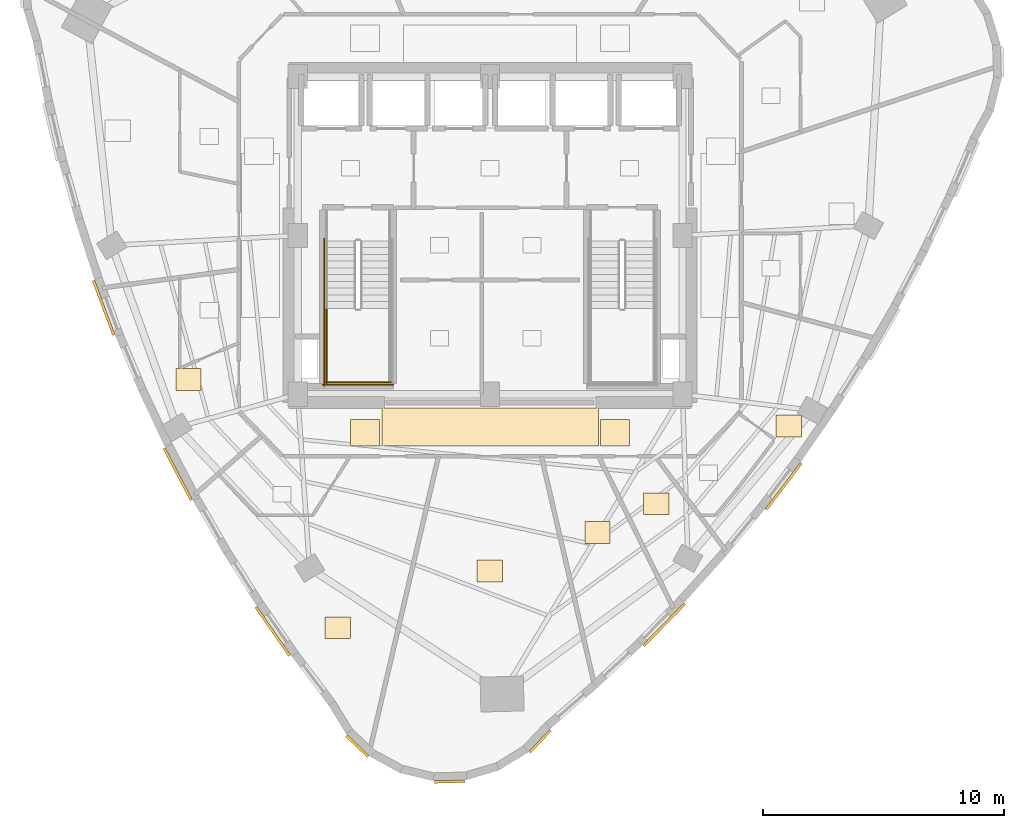
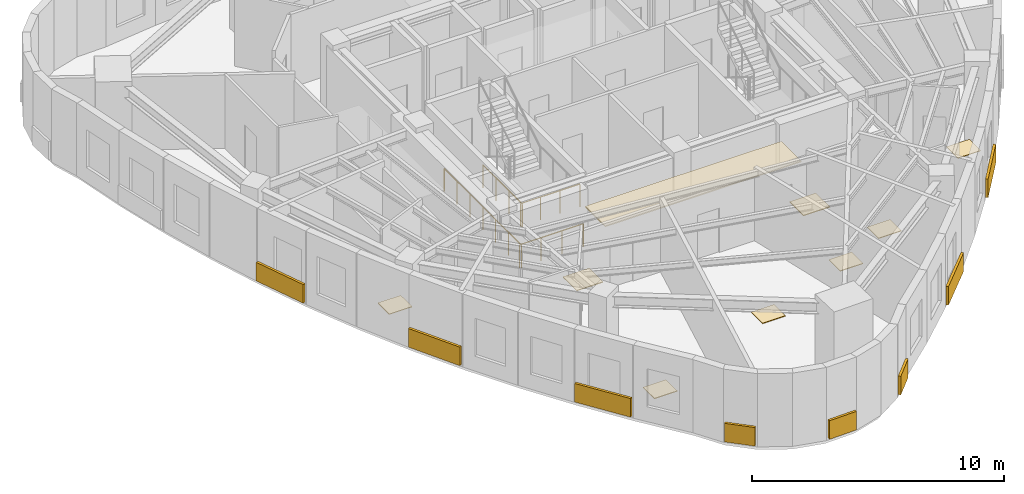
# One storey, part 9 of 11: 17 coverings, 4 railings.
"""IFC4 building model written with IfcOpenShell, lengths in metres."""

from ifc_helpers import new_model, si_unit, direction, frame, origin, origin_2d, place, context, subcontext, project, spatial, rectangle, circle, extrude, material, layer, layer_set, type_object, element, save


model = new_model("IFC4")

# Units and contexts
model_context = context("Model", 3, precision=1e-05, world=origin(), true_north=direction((0.0, 1.0)))
body_context = subcontext(model_context, "Body", "Model", "MODEL_VIEW")
ifc_project = project(units=[si_unit("LENGTHUNIT", "METRE"), si_unit("AREAUNIT", "SQUARE_METRE"), si_unit("VOLUMEUNIT", "CUBIC_METRE"), si_unit("PLANEANGLEUNIT", "RADIAN"), si_unit("MASSUNIT", "GRAM", prefix="KILO")], contexts=[model_context])

# Site, building, storey
site_placement = place(None, origin())
site = spatial("IfcSite", under=ifc_project, at=site_placement, CompositionType="ELEMENT")
building_placement = place(site_placement, origin())
building = spatial("IfcBuilding", under=site, at=building_placement, Name="Ndelora Gate Hotel", CompositionType="ELEMENT")
storey_placement = place(building_placement, frame((0.0, 0.0, 186.550048828125)))
storey = spatial("IfcBuildingStorey", under=building, at=storey_placement, Name="L46", CompositionType="ELEMENT", Elevation=186.550048828125)

# Coverings
ifc_material_1 = material(Name="Perforated Acoustic Gypsum Board", Category="gypsum")
ifc_layer_1 = layer(ifc_material_1, 0.054931640625)
ifc_layer_set_1 = layer_set([ifc_layer_1], Name="Perforated Acoustic Gypsum Board")
covering_type_1 = type_object("IfcCoveringType", Name="COV-CEIL-AC60", PredefinedType="CEILING", material=ifc_layer_set_1)
covering_1_placement = place(storey_placement, frame((0.0, -7.9599609375, 2.65234375), z_axis=(0.0, 0.0, 1.0), x_axis=(1.0, 0.0, 0.0)))
element("IfcCovering", 1, at=covering_1_placement, inside=storey, type_object=covering_type_1, Name="L46 Guest Corridor Acoustic Ceiling S", PredefinedType="CEILING", context=body_context, shape_type="SweptSolid", body=[
    extrude(rectangle(XDim=9.0, YDim=1.580078125, at=origin_2d()), origin(), (0.0, 0.0, 1.0), 0.054931640625),
])
ifc_material_2 = material(Name="Terracotta Fired Clay Brick Slip Cladding", Category="masonry")
ifc_layer_2 = layer(ifc_material_2, 0.110107421875)
ifc_layer_set_2 = layer_set([ifc_layer_2], Name="Terracotta Fired Clay Brick Slip Cladding")
covering_type_2 = type_object("IfcCoveringType", Name="COV-CLAD-BRK", PredefinedType="CLADDING", material=ifc_layer_set_2)
covering_2_placement = place(storey_placement, frame((-16.06591796875, -3.007568359375, 0.10009765625), z_axis=(0.0, 0.0, 1.0), x_axis=(-0.348572047322, 0.937281989492, 0.0)))
element("IfcCovering", 2, at=covering_2_placement, inside=storey, type_object=covering_type_2, Name="L46 Rounded-Corner Brick Cladding Band 13", PredefinedType="CLADDING", context=body_context, shape_type="SweptSolid", body=[
    extrude(rectangle(XDim=2.419921875, YDim=0.110107421875, at=origin_2d()), origin(), (0.0, 0.0, 1.0), 0.89990234375),
])
covering_3_placement = place(storey_placement, frame((-12.9853515625, -9.9267578125, 0.10009765625), z_axis=(0.0, 0.0, 1.0), x_axis=(-0.46329603512, 0.886203579231, 0.0)))
element("IfcCovering", 3, at=covering_3_placement, inside=storey, type_object=covering_type_2, Name="L46 Rounded-Corner Brick Cladding Band 16", PredefinedType="CLADDING", context=body_context, shape_type="SweptSolid", body=[
    extrude(rectangle(XDim=2.4208984375, YDim=0.110107421875, at=origin_2d()), origin(), (0.0, 0.0, 1.0), 0.89990234375),
])
covering_4_placement = place(storey_placement, frame((-9.033935546875, -16.457763671875, 0.10009765625), z_axis=(0.0, 0.0, 1.0), x_axis=(-0.569136023557, 0.822243386529, 0.0)))
element("IfcCovering", 4, at=covering_4_placement, inside=storey, type_object=covering_type_2, Name="L46 Rounded-Corner Brick Cladding Band 19", PredefinedType="CLADDING", context=body_context, shape_type="SweptSolid", body=[
    extrude(rectangle(XDim=2.4599609375, YDim=0.110107421875, at=origin_2d()), origin(), (0.0, 0.0, 1.0), 0.89990234375),
])
for number, where, z_axis, x_axis, name in (
    (5, (-5.52099609375, -21.23095703125, 0.10009765625), (0.0, 0.0, 1.0), (-0.725374371012, 0.688354575694, 0.0), "L46 Rounded-Corner Brick Cladding Band 22"),
    (6, (-1.68115234375, -22.705078125, 0.10009765625), (0.0, 0.0, 1.0), (0.999657324976, 0.026176948308, 0.0), "L46 Rounded-Corner Brick Cladding Band 25"),
    (7, (2.076416015625, -21.031982421875, 0.10009765625), (0.0, 0.0, 1.0), (0.688354575694, 0.725374371012, 0.0), "L46 Rounded-Corner Brick Cladding Band 28"),
):
    element("IfcCovering", number, at=place(storey_placement, frame(where, z_axis=z_axis, x_axis=x_axis)), inside=storey, type_object=covering_type_2, Name=name, PredefinedType="CLADDING", context=body_context, shape_type="SweptSolid", body=[
        extrude(rectangle(XDim=1.257080078125, YDim=0.110107421875, at=origin_2d()), origin(), (0.0, 0.0, 1.0), 0.89990234375),
    ])
covering_5_placement = place(storey_placement, frame((7.2412109375, -16.183349609375, 0.10009765625), z_axis=(0.0, 0.0, 1.0), x_axis=(0.699039579147, 0.715082978952, 0.0)))
element("IfcCovering", 8, at=covering_5_placement, inside=storey, type_object=covering_type_2, Name="L46 Rounded-Corner Brick Cladding Band 31", PredefinedType="CLADDING", context=body_context, shape_type="SweptSolid", body=[
    extrude(rectangle(XDim=2.443115234375, YDim=0.110107421875, at=origin_2d()), origin(), (0.0, 0.0, 1.0), 0.89990234375),
])
covering_6_placement = place(storey_placement, frame((12.207275390625, -10.429443359375, 0.10009765625), z_axis=(0.0, 0.0, 1.0), x_axis=(0.604599114862, 0.796529918024, 0.0)))
element("IfcCovering", 9, at=covering_6_placement, inside=storey, type_object=covering_type_2, Name="L46 Rounded-Corner Brick Cladding Band 34", PredefinedType="CLADDING", context=body_context, shape_type="SweptSolid", body=[
    extrude(rectangle(XDim=2.416015625, YDim=0.110107421875, at=origin_2d()), origin(), (0.0, 0.0, 1.0), 0.89990234375),
])
ifc_material_3 = material(Name="Engineered Highland Oak Parquet", Category="wood")
ifc_layer_3 = layer(ifc_material_3, 0.030029296875)
ifc_layer_set_3 = layer_set([ifc_layer_3], Name="Engineered Highland Oak Parquet")
covering_type_3 = type_object("IfcCoveringType", Name="COV-FLR-PARQ", PredefinedType="FLOORING", material=ifc_layer_set_3)
for number, where, z_axis, x_axis, name in (
    (10, (12.416015625, -7.918701171875, 0.0), (0.0, 0.0, 1.0), (1.0, 0.0, 0.0), "L46 Panoramic Horizon Suite 4901 Oak Parquet Flooring"),
    (11, (-12.540771484375, -5.9853515625, 0.0), (0.0, 0.0, 1.0), (1.0, 0.0, 0.0), "L46 Altitude Deluxe Guest Room 4906 Oak Parquet Flooring"),
    (12, (-6.3369140625, -16.310791015625, 0.0), (0.0, 0.0, 1.0), (1.0, 0.0, 0.0), "L46 Executive Sky Suite 4907 Oak Parquet Flooring"),
    (13, (-0.01025390625, -13.94775390625, 0.0), (0.0, 0.0, 1.0), (1.0, 0.0, 0.0), "L46 Butler Service Kitchen Oak Parquet Flooring"),
    (14, (4.468505859375, -12.349853515625, 0.0), (0.0, 0.0, 1.0), (1.0, 0.0, 0.0), "L46 Housekeeping and Linen Room Oak Parquet Flooring"),
    (15, (6.91162109375, -11.154296875, 0.0), (0.0, 0.0, 1.0), (1.0, 0.0, 0.0), "L46 Accessible WC Oak Parquet Flooring"),
):
    element("IfcCovering", number, at=place(storey_placement, frame(where, z_axis=z_axis, x_axis=x_axis)), inside=storey, type_object=covering_type_3, Name=name, PredefinedType="FLOORING", context=body_context, shape_type="SweptSolid", body=[
        extrude(rectangle(XDim=1.050048828125, YDim=0.89990234375, at=origin_2d()), origin(), (0.0, 0.0, 1.0), 0.030029296875),
    ])
ifc_material_4 = material(Name="Polished Highland Stone Terrazzo", Category="masonry")
ifc_layer_4 = layer(ifc_material_4, 0.034912109375)
ifc_layer_set_4 = layer_set([ifc_layer_4], Name="Polished Highland Stone Terrazzo")
covering_type_4 = type_object("IfcCoveringType", Name="COV-FLR-TERZ", PredefinedType="FLOORING", material=ifc_layer_set_4)
for number, where, z_axis, x_axis, name in (
    (16, (-5.199951171875, -8.199951171875, 0.0), (0.0, 0.0, 1.0), (1.0, 0.0, 0.0), "L46 Corridor Threshold Terrazzo Inlay SW"),
    (17, (5.199951171875, -8.199951171875, 0.0), (0.0, 0.0, 1.0), (1.0, 0.0, 0.0), "L46 Corridor Threshold Terrazzo Inlay SE"),
):
    element("IfcCovering", number, at=place(storey_placement, frame(where, z_axis=z_axis, x_axis=x_axis)), inside=storey, type_object=covering_type_4, Name=name, PredefinedType="FLOORING", context=body_context, shape_type="SweptSolid", body=[
        extrude(rectangle(XDim=1.199951171875, YDim=1.10009765625, at=origin_2d()), origin(), (0.0, 0.0, 1.0), 0.034912109375),
    ])

# Railings
ifc_material_5 = material(Name="Painted Galvanized Steel Balustrade", Category="steel")
ifc_layer_5 = layer(ifc_material_5, 0.06005859375)
ifc_layer_set_5 = layer_set([ifc_layer_5], Name="Painted Galvanized Steel Balustrade")
railing_type = type_object("IfcRailingType", Name="RL-STAIR-GD", PredefinedType="GUARDRAIL", material=ifc_layer_set_5)
railing_1_placement = place(storey_placement, frame((-6.800048828125, -3.030029296875, 1.89990234375)))
element("IfcRailing", 18, at=railing_1_placement, inside=storey, type_object=railing_type, Name="L46 ST4 stair guard 3", PredefinedType="GUARDRAIL", context=body_context, shape_type="SweptSolid", body=[
    extrude(circle(Radius=0.02392578125, at=origin_2d()), frame((0.0, 0.0, 1.10595703125), z_axis=(0.0, -1.0, 0.0), x_axis=(1.0, 0.0, 0.0)), (0.0, 0.0, 1.0), 3.119873046875),
    extrude(circle(Radius=0.02099609375, at=origin_2d()), origin(), (0.0, 0.0, 1.0), 1.081787109375),
    extrude(circle(Radius=0.02099609375, at=origin_2d()), frame((0.0, -1.0400390625, 0.0)), (0.0, 0.0, 1.0), 1.081787109375),
    extrude(circle(Radius=0.02099609375, at=origin_2d()), frame((0.0, -2.079833984375, 0.0)), (0.0, 0.0, 1.0), 1.081787109375),
    extrude(circle(Radius=0.02099609375, at=origin_2d()), frame((0.0, -3.119873046875, 0.0)), (0.0, 0.0, 1.0), 1.081787109375),
])
railing_2_placement = place(storey_placement, frame((-6.85009765625, -6.10009765625, 1.89990234375)))
element("IfcRailing", 19, at=railing_2_placement, inside=storey, type_object=railing_type, Name="L46 ST4 stair guard 5", PredefinedType="GUARDRAIL", context=body_context, shape_type="SweptSolid", body=[
    extrude(circle(Radius=0.02392578125, at=origin_2d()), frame((0.0, 0.0, 1.10595703125), z_axis=(1.0, 0.0, 0.0), x_axis=(0.0, 1.0, 0.0)), (0.0, 0.0, 1.0), 2.72021484375),
    extrude(circle(Radius=0.02099609375, at=origin_2d()), origin(), (0.0, 0.0, 1.0), 1.081787109375),
    extrude(circle(Radius=0.02099609375, at=origin_2d()), frame((0.90673828125, 0.0, 0.0)), (0.0, 0.0, 1.0), 1.081787109375),
    extrude(circle(Radius=0.02099609375, at=origin_2d()), frame((1.8134765625, 0.0, 0.0)), (0.0, 0.0, 1.0), 1.081787109375),
    extrude(circle(Radius=0.02099609375, at=origin_2d()), frame((2.72021484375, 0.0, 0.0)), (0.0, 0.0, 1.0), 1.081787109375),
])
railing_3_placement = place(storey_placement, frame((-6.89990234375, -0.1298828125, 0.0)))
element("IfcRailing", 20, at=railing_3_placement, inside=storey, type_object=railing_type, Name="L46 ST4 stair guard 10", PredefinedType="GUARDRAIL", context=body_context, shape_type="SweptSolid", body=[
    extrude(circle(Radius=0.02392578125, at=origin_2d()), frame((0.0, 0.0, 1.10595703125), z_axis=(0.0, -1.0, 0.0), x_axis=(1.0, 0.0, 0.0)), (0.0, 0.0, 1.0), 6.1201171875),
    extrude(circle(Radius=0.02099609375, at=origin_2d()), origin(), (0.0, 0.0, 1.0), 1.081787109375),
    extrude(circle(Radius=0.02099609375, at=origin_2d()), frame((0.0, -1.02001953125, 0.0)), (0.0, 0.0, 1.0), 1.081787109375),
    extrude(circle(Radius=0.02099609375, at=origin_2d()), frame((0.0, -2.0400390625, 0.0)), (0.0, 0.0, 1.0), 1.081787109375),
    extrude(circle(Radius=0.02099609375, at=origin_2d()), frame((0.0, -3.06005859375, 0.0)), (0.0, 0.0, 1.0), 1.081787109375),
    extrude(circle(Radius=0.02099609375, at=origin_2d()), frame((0.0, -4.080078125, 0.0)), (0.0, 0.0, 1.0), 1.081787109375),
    extrude(circle(Radius=0.02099609375, at=origin_2d()), frame((0.0, -5.10009765625, 0.0)), (0.0, 0.0, 1.0), 1.081787109375),
    extrude(circle(Radius=0.02099609375, at=origin_2d()), frame((0.0, -6.1201171875, 0.0)), (0.0, 0.0, 1.0), 1.081787109375),
])
railing_4_placement = place(storey_placement, frame((-6.949951171875, -6.199951171875, 0.0)))
element("IfcRailing", 21, at=railing_4_placement, inside=storey, type_object=railing_type, Name="L46 ST4 stair guard 12", PredefinedType="GUARDRAIL", context=body_context, shape_type="SweptSolid", body=[
    extrude(circle(Radius=0.02392578125, at=origin_2d()), frame((0.0, 0.0, 1.10595703125), z_axis=(1.0, 0.0, 0.0), x_axis=(0.0, 1.0, 0.0)), (0.0, 0.0, 1.0), 2.919921875),
    extrude(circle(Radius=0.02099609375, at=origin_2d()), origin(), (0.0, 0.0, 1.0), 1.081787109375),
    extrude(circle(Radius=0.02099609375, at=origin_2d()), frame((0.973388671875, 0.0, 0.0)), (0.0, 0.0, 1.0), 1.081787109375),
    extrude(circle(Radius=0.02099609375, at=origin_2d()), frame((1.946533203125, 0.0, 0.0)), (0.0, 0.0, 1.0), 1.081787109375),
    extrude(circle(Radius=0.02099609375, at=origin_2d()), frame((2.919921875, 0.0, 0.0)), (0.0, 0.0, 1.0), 1.081787109375),
])

save(model, "model.ifc")
